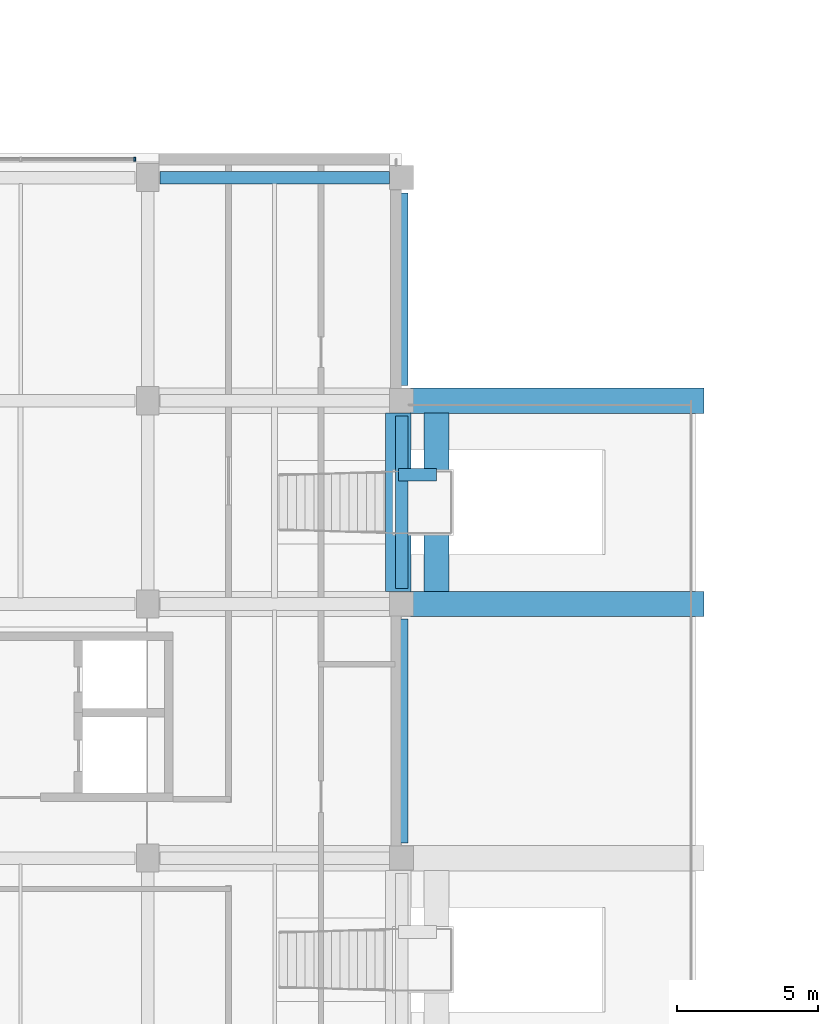
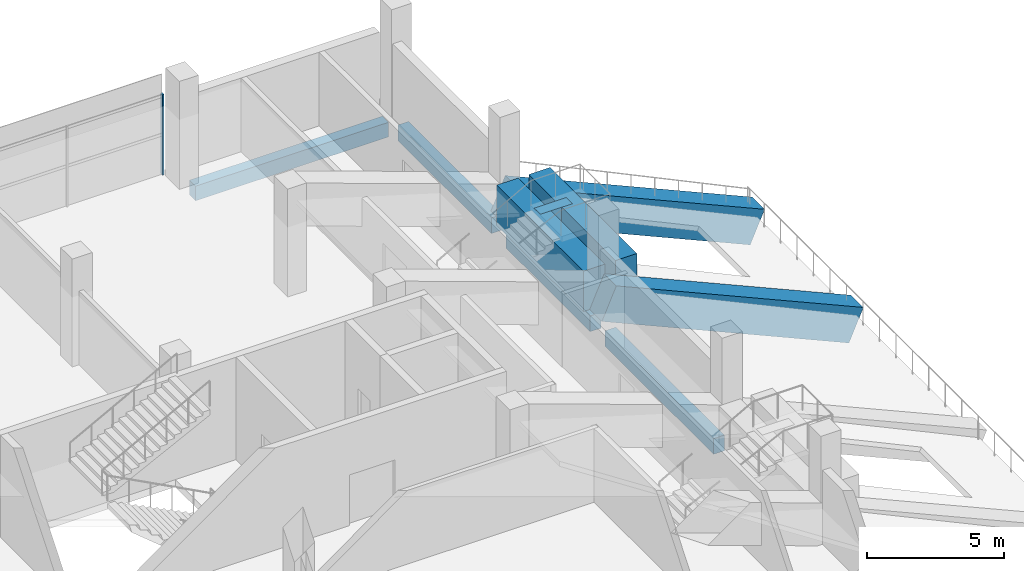
# One storey, part 32 of 66: 9 beams, 1 member, 1 element without a shape of its own.
"""IFC4 building model written with IfcOpenShell, lengths in metres."""

from ifc_helpers import new_model, si_unit, direction, frame, origin, origin_2d, place, context, subcontext, project, spatial, rectangle, extrude, material, material_profile, profile_set, type_object, element, aggregate, save


model = new_model("IFC4")

# Units and contexts
model_context = context("Model", 3, precision=1e-05, world=origin(), true_north=direction((0.0, 1.0)))
body_context = subcontext(model_context, "Body", "Model", "MODEL_VIEW")
ifc_project = project(units=[si_unit("LENGTHUNIT", "METRE"), si_unit("AREAUNIT", "SQUARE_METRE"), si_unit("VOLUMEUNIT", "CUBIC_METRE"), si_unit("PLANEANGLEUNIT", "RADIAN"), si_unit("MASSUNIT", "GRAM", prefix="KILO"), si_unit("THERMODYNAMICTEMPERATUREUNIT", "KELVIN"), si_unit("POWERUNIT", "WATT")], contexts=[model_context])

# Site, building, storey
site_placement = place(None, origin())
site = spatial("IfcSite", under=ifc_project, at=site_placement, CompositionType="ELEMENT")
building_placement = place(site_placement, origin())
building = spatial("IfcBuilding", under=site, at=building_placement, Name="Sindhuravela Promenade Stadium", CompositionType="ELEMENT")
storey_placement = place(building_placement, frame((0.0, 0.0, 19.199951171875)))
storey = spatial("IfcBuildingStorey", under=building, at=storey_placement, Name="L04", CompositionType="ELEMENT", Elevation=19.199951171875)

# Curtain wall, member
ifc_material_1 = material(Name="Anodised architectural aluminium 6063-T6", Category="aluminium")
curtain_wall_type = type_object("IfcCurtainWallType", Name="CW-MOD-6", PredefinedType="NOTDEFINED", material=ifc_material_1)
curtain_wall_placement = place(storey_placement, origin())
curtain_wall = element("IfcCurtainWall", 1, at=curtain_wall_placement, inside=storey, type_object=curtain_wall_type, Name="Bronze curtain wall CW-WEST-L04-061", PredefinedType="NOTDEFINED")
ifc_material_profile_1 = material_profile(ifc_material_1, rectangle(XDim=0.06494140625, YDim=0.14990234375, at=origin_2d()), Name="ALU MULL 65x150")
ifc_profile_set_1 = profile_set([ifc_material_profile_1], Name="Anodised architectural aluminium 6063-T6")
member_type = type_object("IfcMemberType", Name="CW-MUL-2", PredefinedType="MULLION", material=ifc_profile_set_1)
member_placement = place(storey_placement, frame((26.550048828125, 125.550048828125, 0.0), z_axis=(0.0, 0.0, 1.0), x_axis=(1.0, 0.0, 0.0)))
member = element("IfcMember", 2, at=member_placement, type_object=member_type, Name="Curtain wall mullion CW-WEST-L04-061-M3", PredefinedType="MULLION", context=body_context, shape_type="SweptSolid", body=[
    extrude(rectangle(XDim=0.06494140625, YDim=0.14990234375, at=origin_2d()), origin(), (0.0, 0.0, 1.0), 3.580078125),
])
aggregate(curtain_wall, [member])

# Beams
ifc_material_2 = material(Name="Concrete M40", Category="concrete")
ifc_material_profile_2 = material_profile(ifc_material_2, rectangle(XDim=0.449951171875, YDim=0.64990234375, at=origin_2d()), Name="RC 450x650")
ifc_profile_set_2 = profile_set([ifc_material_profile_2], Name="Concrete M40")
beam_type_1 = type_object("IfcBeamType", Name="RC-BM-450x650", PredefinedType="T_BEAM", material=ifc_profile_set_2)
beam_1_placement = place(storey_placement, frame((27.43994140625, 124.89990234375, -0.64501953125), z_axis=(1.0, 0.0, 0.0), x_axis=(0.0, 1.0, 0.0)))
element("IfcBeam", 3, at=beam_1_placement, inside=storey, type_object=beam_type_1, Name="Primary girder GB08 WEST L04", PredefinedType="T_BEAM", context=body_context, shape_type="SweptSolid", body=[
    extrude(rectangle(XDim=0.449951171875, YDim=0.64990234375, at=origin_2d()), origin(), (0.0, 0.0, 1.0), 8.1201171875),
])
ifc_material_profile_3 = material_profile(ifc_material_2, rectangle(XDim=0.449951171875, YDim=0.699951171875, at=origin_2d()), Name="RC 450x700")
ifc_profile_set_3 = profile_set([ifc_material_profile_3], Name="Concrete M40")
beam_type_2 = type_object("IfcBeamType", Name="RC-BM-450x700", PredefinedType="BEAM", material=ifc_profile_set_3)
beam_2_placement = place(storey_placement, frame((36.0, 101.340087890625, -0.669921875), z_axis=(0.0, 1.0, 0.0), x_axis=(-1.0, 0.0, 0.0)))
element("IfcBeam", 4, at=beam_2_placement, inside=storey, type_object=beam_type_2, Name="Primary beam GB07 WEST L04", PredefinedType="BEAM", context=body_context, shape_type="SweptSolid", body=[
    extrude(rectangle(XDim=0.449951171875, YDim=0.699951171875, at=origin_2d()), origin(), (0.0, 0.0, 1.0), 7.919921875),
])
beam_3_placement = place(storey_placement, frame((36.0, 110.340087890625, -0.669921875), z_axis=(0.0, 1.0, 0.0), x_axis=(-1.0, 0.0, 0.0)))
element("IfcBeam", 5, at=beam_3_placement, inside=storey, type_object=beam_type_2, Name="Primary beam GB07 WEST L04", PredefinedType="BEAM", context=body_context, shape_type="SweptSolid", body=[
    extrude(rectangle(XDim=0.449951171875, YDim=0.699951171875, at=origin_2d()), origin(), (0.0, 0.0, 1.0), 6.119873046875),
])
beam_4_placement = place(storey_placement, frame((36.0, 117.5400390625, -0.669921875), z_axis=(0.0, 1.0, 0.0), x_axis=(-1.0, 0.0, 0.0)))
element("IfcBeam", 6, at=beam_4_placement, inside=storey, type_object=beam_type_2, Name="Primary beam GB07 WEST L04", PredefinedType="BEAM", context=body_context, shape_type="SweptSolid", body=[
    extrude(rectangle(XDim=0.449951171875, YDim=0.699951171875, at=origin_2d()), origin(), (0.0, 0.0, 1.0), 6.820068359375),
])
beam_5_placement = place(storey_placement, frame((35.8798828125, 114.3798828125, 1.505126953125), z_axis=(1.0, 0.0, 0.0), x_axis=(0.0, 1.0, 0.0)))
element("IfcBeam", 7, at=beam_5_placement, inside=storey, type_object=beam_type_2, Name="Vomitory CS02 landing edge stringer", PredefinedType="BEAM", context=body_context, shape_type="SweptSolid", body=[
    extrude(rectangle(XDim=0.449951171875, YDim=0.699951171875, at=origin_2d()), origin(), (0.0, 0.0, 1.0), 1.35009765625),
])
ifc_material_3 = material(Name="Concrete M50", Category="concrete")
ifc_material_profile_4 = material_profile(ifc_material_3, rectangle(XDim=0.89990234375, YDim=1.5, at=origin_2d()), Name="RC 900x1500")
ifc_profile_set_4 = profile_set([ifc_material_profile_4], Name="Concrete M50")
beam_type_3 = type_object("IfcBeamType", Name="RC-RK-900x1500", PredefinedType="USERDEFINED", material=ifc_profile_set_4)
for number, where, z_axis, x_axis, name in (
    (8, (36.0, 109.800048828125, 0.75), (0.9145386978691881, 0.0, -0.40449841791993457), (0.0, 1.0, 0.0), "Upper cantilevered raker RK02 West 67"),
    (9, (36.0, 117.0, 0.75), (0.9145386978691881, 0.0, -0.40449841791993457), (0.0, 1.0, 0.0), "Upper cantilevered raker RK02 West 69"),
):
    element("IfcBeam", number, at=place(storey_placement, frame(where, z_axis=z_axis, x_axis=x_axis)), inside=storey, type_object=beam_type_3, Name=name, ObjectType="RAKER", PredefinedType="USERDEFINED", context=body_context, shape_type="SweptSolid", body=[
        extrude(rectangle(XDim=0.89990234375, YDim=1.5, at=origin_2d()), origin(), (0.0, 0.0, 1.0), 11.371826171875),
    ])
ifc_material_profile_5 = material_profile(ifc_material_3, rectangle(XDim=0.89990234375, YDim=1.800048828125, at=origin_2d()), Name="RC 900x1800")
ifc_profile_set_5 = profile_set([ifc_material_profile_5], Name="Concrete M50")
beam_type_4 = type_object("IfcBeamType", Name="RC-RK-900x1800", PredefinedType="USERDEFINED", material=ifc_profile_set_5)
for number, where, z_axis, x_axis, name in (
    (10, (35.8798828125, 110.239990234375, 0.955078125), (0.0, 1.0, 0.0), (-1.0, 0.0, 0.0), "Vomitory CS02 landing trimmer beam 1"),
    (11, (37.22998046875, 110.239990234375, 0.955078125), (0.0, 1.0, 0.0), (-1.0, 0.0, 0.0), "Vomitory CS02 landing trimmer beam 2"),
):
    element("IfcBeam", number, at=place(storey_placement, frame(where, z_axis=z_axis, x_axis=x_axis)), inside=storey, type_object=beam_type_4, Name=name, ObjectType="RAKER", PredefinedType="USERDEFINED", context=body_context, shape_type="SweptSolid", body=[
        extrude(rectangle(XDim=0.89990234375, YDim=1.800048828125, at=origin_2d()), origin(), (0.0, 0.0, 1.0), 6.320068359375),
    ])

save(model, "model.ifc")
